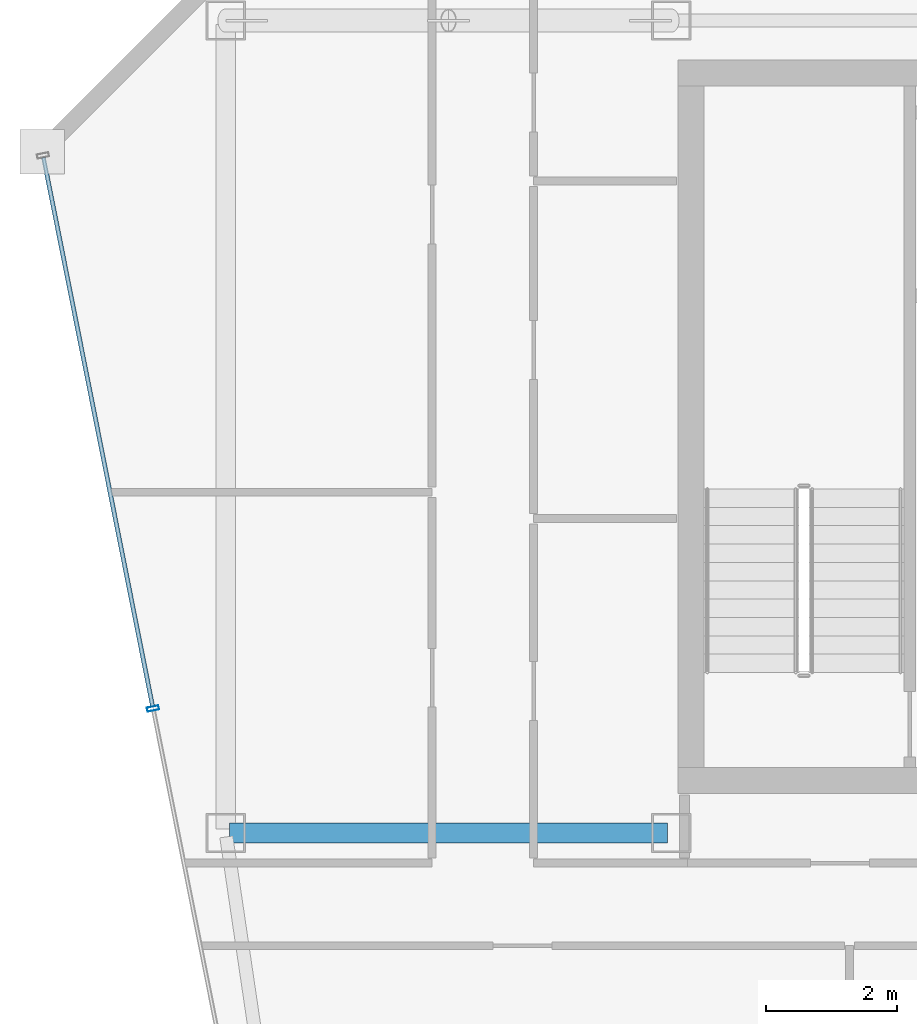
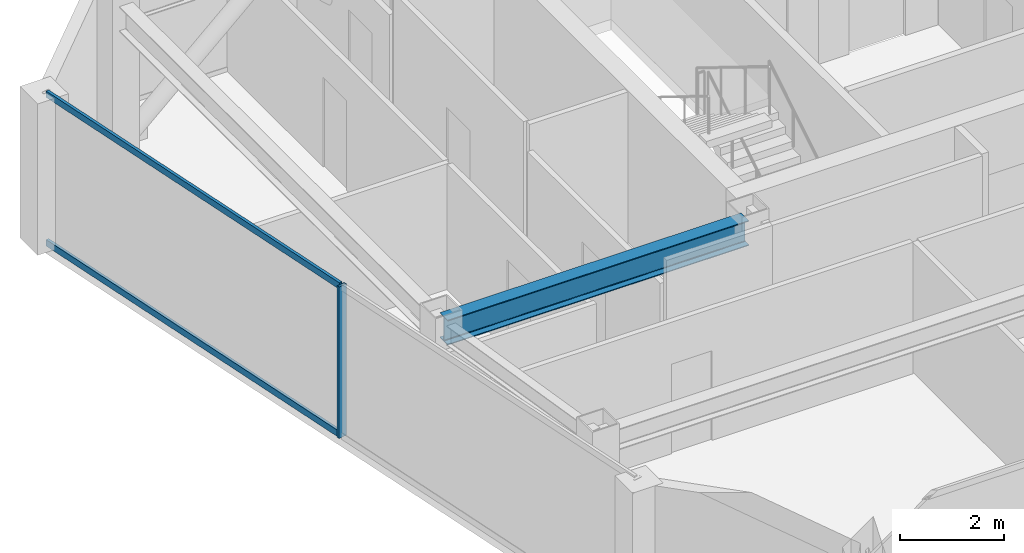
# One storey, part 5 of 23: 3 members, 1 beam, 1 element without a shape of its own.
"""IFC4 building model written with IfcOpenShell, lengths in metres."""

from ifc_helpers import new_model, si_unit, direction, frame, origin, origin_2d, place, context, subcontext, project, spatial, hollow_rectangle, i_section, extrude, material, material_profile, profile_set, type_object, element, aggregate, save


model = new_model("IFC4")

# Units and contexts
model_context = context("Model", 3, precision=1e-05, world=origin(), true_north=direction((0.0, 1.0)))
body_context = subcontext(model_context, "Body", "Model", "MODEL_VIEW")
ifc_project = project(units=[si_unit("LENGTHUNIT", "METRE"), si_unit("AREAUNIT", "SQUARE_METRE"), si_unit("VOLUMEUNIT", "CUBIC_METRE"), si_unit("PLANEANGLEUNIT", "RADIAN"), si_unit("MASSUNIT", "GRAM", prefix="KILO")], contexts=[model_context])

# Site, building, storey
site_placement = place(None, origin())
site = spatial("IfcSite", under=ifc_project, at=site_placement, CompositionType="ELEMENT")
building_placement = place(site_placement, origin())
building = spatial("IfcBuilding", under=site, at=building_placement, Name="Saevonmaru Cultural Tower", CompositionType="ELEMENT")
storey_placement = place(building_placement, frame((0.0, 0.0, 302.800048828125)))
storey = spatial("IfcBuildingStorey", under=building, at=storey_placement, Name="L72", CompositionType="ELEMENT", Elevation=302.800048828125)

# Beam
ifc_material_1 = material(Name="Steel SM355", Category="steel")
ifc_material_profile_1 = material_profile(ifc_material_1, i_section(OverallWidth=0.300048828125, OverallDepth=0.587890625, WebThickness=0.011962890625, FlangeThickness=0.02001953125, FilletRadius=0.02392578125, at=origin_2d()), Name="H-588x300x12x20")
ifc_profile_set_1 = profile_set([ifc_material_profile_1], Name="Steel SM355")
beam_type = type_object("IfcBeamType", Name="BM-G-H588", PredefinedType="BEAM", material=ifc_profile_set_1)
beam_placement = place(storey_placement, frame((6.860107421875, 42.39990234375, 3.255859375), z_axis=(1.0, 0.0, 0.0), x_axis=(0.0, 1.0, 0.0)))
element("IfcBeam", 1, at=beam_placement, inside=storey, type_object=beam_type, Name="L72 Core South Girder 1", PredefinedType="BEAM", context=body_context, shape_type="SweptSolid", body=[
    extrude(i_section(OverallWidth=0.300048828125, OverallDepth=0.587890625, WebThickness=0.011962890625, FlangeThickness=0.02001953125, FilletRadius=0.02392578125, at=origin_2d()), origin(), (0.0, 0.0, 1.0), 6.679931640625),
])

# Curtain wall, members
ifc_material_2 = material(Name="Satin Bronze Anodised Aluminium", Category="aluminium")
curtain_wall_type = type_object("IfcCurtainWallType", Name="CW-TYP-B", PredefinedType="NOTDEFINED", material=ifc_material_2)
curtain_wall_placement = place(storey_placement, origin())
curtain_wall = element("IfcCurtainWall", 2, at=curtain_wall_placement, inside=storey, type_object=curtain_wall_type, Name="L72 Unitised Curtain Wall E12", PredefinedType="NOTDEFINED")
ifc_material_profile_2 = material_profile(ifc_material_2, hollow_rectangle(XDim=0.06494140625, YDim=0.179931640625, WallThickness=0.00390625, at=origin_2d()), Name="ALU-MULL-180x65x4")
ifc_profile_set_2 = profile_set([ifc_material_profile_2], Name="Satin Bronze Anodised Aluminium")
member_type_1 = type_object("IfcMemberType", Name="ML-CW-180x65", PredefinedType="MULLION", material=ifc_profile_set_2)
member_1_placement = place(storey_placement, frame((5.68994140625, 44.300048828125, 0.0), z_axis=(0.0, 0.0, 1.0), x_axis=(0.195005484813, -0.980802151758, 0.0)))
member_1 = element("IfcMember", 3, at=member_1_placement, type_object=member_type_1, Name="CW-TW-L72-E12 mullion 2", PredefinedType="MULLION", context=body_context, shape_type="SweptSolid", body=[
    extrude(hollow_rectangle(XDim=0.06494140625, YDim=0.179931640625, WallThickness=0.00390625, at=origin_2d()), origin(), (0.0, 0.0, 1.0), 3.550048828125),
])
ifc_material_profile_3 = material_profile(ifc_material_2, hollow_rectangle(XDim=0.06494140625, YDim=0.14990234375, WallThickness=0.00390625, at=origin_2d()), Name="ALU-TRAN-150x65x4")
ifc_profile_set_3 = profile_set([ifc_material_profile_3], Name="Satin Bronze Anodised Aluminium")
member_type_2 = type_object("IfcMemberType", Name="TR-CW-150x65", PredefinedType="USERDEFINED", material=ifc_profile_set_3)
member_2_placement = place(storey_placement, frame((4.01806640625, 52.709228515625, 0.032470703125), z_axis=(0.194994665552, -0.980804302808, 0.0), x_axis=(0.980804302808, 0.194994665552, 0.0)))
member_2 = element("IfcMember", 4, at=member_2_placement, type_object=member_type_2, Name="CW-TW-L72-E12 transom 1.1", ObjectType="TRANSOM", PredefinedType="USERDEFINED", context=body_context, shape_type="SweptSolid", body=[
    extrude(hollow_rectangle(XDim=0.06494140625, YDim=0.14990234375, WallThickness=0.00390625, at=origin_2d()), origin(), (0.0, 0.0, 1.0), 8.54150390625),
])
member_3_placement = place(storey_placement, frame((4.01806640625, 52.709228515625, 3.517333984375), z_axis=(0.194994665552, -0.980804302808, 0.0), x_axis=(0.980804302808, 0.194994665552, 0.0)))
member_3 = element("IfcMember", 5, at=member_3_placement, type_object=member_type_2, Name="CW-TW-L72-E12 transom 1.2", ObjectType="TRANSOM", PredefinedType="USERDEFINED", context=body_context, shape_type="SweptSolid", body=[
    extrude(hollow_rectangle(XDim=0.06494140625, YDim=0.14990234375, WallThickness=0.00390625, at=origin_2d()), origin(), (0.0, 0.0, 1.0), 8.54150390625),
])
aggregate(curtain_wall, [member_1, member_2, member_3])

save(model, "model.ifc")
